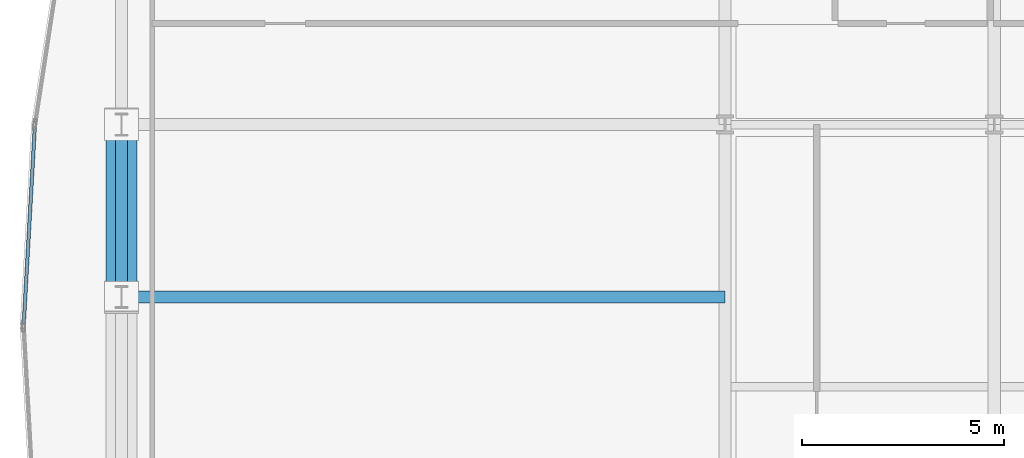
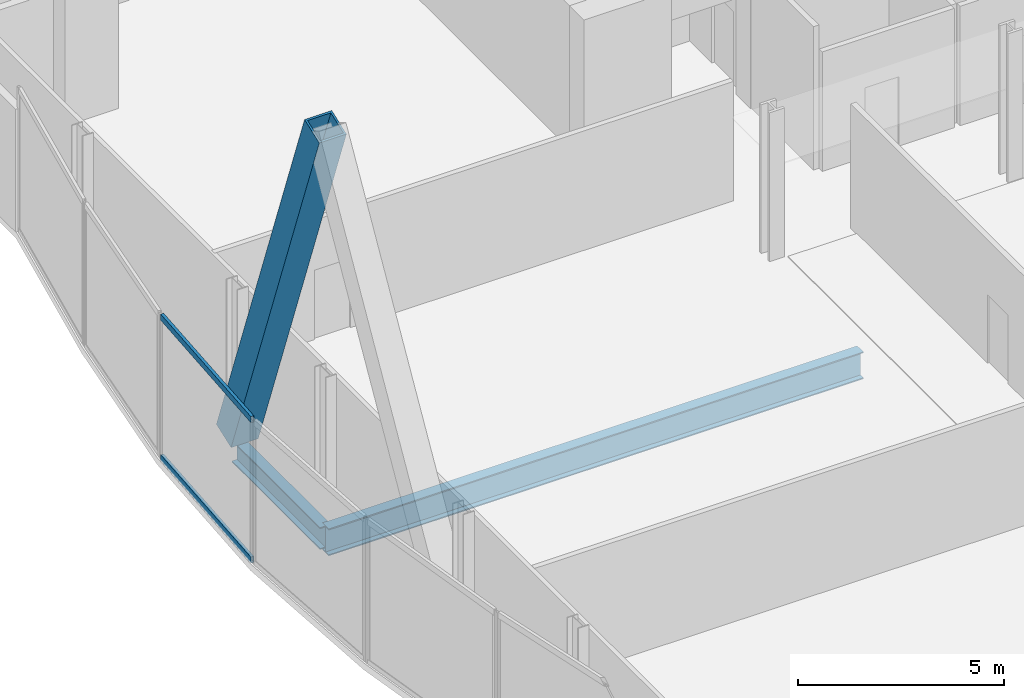
# One storey, part 11 of 32: 3 members, 2 beams, 1 element without a shape of its own.
"""IFC4 building model written with IfcOpenShell, lengths in metres."""

from ifc_helpers import new_model, si_unit, direction, frame, origin, origin_2d, place, context, subcontext, project, spatial, hollow_rectangle, i_section, extrude, material, material_profile, profile_set, type_object, element, aggregate, save


model = new_model("IFC4")

# Units and contexts
model_context = context("Model", 3, precision=1e-05, world=origin(), true_north=direction((0.0, 1.0)))
body_context = subcontext(model_context, "Body", "Model", "MODEL_VIEW")
ifc_project = project(units=[si_unit("LENGTHUNIT", "METRE"), si_unit("AREAUNIT", "SQUARE_METRE"), si_unit("VOLUMEUNIT", "CUBIC_METRE"), si_unit("PLANEANGLEUNIT", "RADIAN"), si_unit("MASSUNIT", "GRAM", prefix="KILO")], contexts=[model_context])

# Site, building, storey
site_placement = place(None, origin())
site = spatial("IfcSite", under=ifc_project, at=site_placement, CompositionType="ELEMENT")
building_placement = place(site_placement, origin())
building = spatial("IfcBuilding", under=site, at=building_placement, Name="Khoronbel Lancet Exchange", CompositionType="ELEMENT")
storey_placement = place(building_placement, frame((0.0, 0.0, 106.60009765625)))
storey = spatial("IfcBuildingStorey", under=building, at=storey_placement, Name="L25", CompositionType="ELEMENT", Elevation=106.60009765625)

# Beams
ifc_material_1 = material(Name="Steel S355", Category="steel")
ifc_material_profile_1 = material_profile(ifc_material_1, i_section(OverallWidth=0.300048828125, OverallDepth=0.800048828125, WebThickness=0.017578125, FlangeThickness=0.032958984375, at=origin_2d()), Name="HEB 800")
ifc_profile_set_1 = profile_set([ifc_material_profile_1], Name="Steel S355")
beam_type_1 = type_object("IfcBeamType", Name="BM-BG2", PredefinedType="BEAM", material=ifc_profile_set_1)
beam_1_placement = place(storey_placement, frame((3.27001953125, 31.425048828125, -0.60009765625), z_axis=(1.0, 0.0, 0.0), x_axis=(0.0, 1.0, 0.0)))
element("IfcBeam", 1, at=beam_1_placement, inside=storey, type_object=beam_type_1, Name="Level L25 west lens tie girder LG2W", PredefinedType="BEAM", context=body_context, shape_type="SweptSolid", body=[
    extrude(i_section(OverallWidth=0.300048828125, OverallDepth=0.800048828125, WebThickness=0.017578125, FlangeThickness=0.032958984375, at=origin_2d()), origin(), (0.0, 0.0, 1.0), 14.955078125),
])
ifc_material_profile_2 = material_profile(ifc_material_1, i_section(OverallWidth=0.300048828125, OverallDepth=0.64990234375, WebThickness=0.01611328125, FlangeThickness=0.031005859375, at=origin_2d()), Name="HEB 650")
ifc_profile_set_2 = profile_set([ifc_material_profile_2], Name="Steel S355")
beam_type_2 = type_object("IfcBeamType", Name="BM-BSP1", PredefinedType="SPANDREL", material=ifc_profile_set_2)
beam_2_placement = place(storey_placement, frame((3.27001953125, 35.699951171875, -0.525146484375), z_axis=(0.0, -1.0, 0.0), x_axis=(1.0, 0.0, 0.0)))
element("IfcBeam", 2, at=beam_2_placement, inside=storey, type_object=beam_type_2, Name="Level L25 perimeter spandrel beam SP18", PredefinedType="SPANDREL", context=body_context, shape_type="SweptSolid", body=[
    extrude(i_section(OverallWidth=0.300048828125, OverallDepth=0.64990234375, WebThickness=0.01611328125, FlangeThickness=0.031005859375, at=origin_2d()), origin(), (0.0, 0.0, 1.0), 4.27490234375),
])

# Curtain wall, members
ifc_material_2 = material(Name="Low-E Solar Control Insulating Glass", Category="glass")
curtain_wall_type = type_object("IfcCurtainWallType", Name="CW-4", PredefinedType="NOTDEFINED", material=ifc_material_2)
curtain_wall_placement = place(storey_placement, origin())
curtain_wall = element("IfcCurtainWall", 3, at=curtain_wall_placement, inside=storey, type_object=curtain_wall_type, Name="Unitised curtain wall CW-L25-E07", PredefinedType="NOTDEFINED")
ifc_material_3 = material(Name="Bronze-Anodised Aluminium 6063-T6", Category="aluminium")
ifc_material_profile_3 = material_profile(ifc_material_3, hollow_rectangle(XDim=0.0849609375, YDim=0.179931640625, WallThickness=0.0048828125, at=origin_2d()), Name="ALU TRANSOM 85x180")
ifc_profile_set_3 = profile_set([ifc_material_profile_3], Name="Bronze-Anodised Aluminium 6063-T6")
member_type_1 = type_object("IfcMemberType", Name="MEM-CWT1", PredefinedType="USERDEFINED", material=ifc_profile_set_3)
member_1_placement = place(storey_placement, frame((0.84814453125, 30.77490234375, 0.04248046875), z_axis=(0.056044516116, 0.998428270941, 0.0), x_axis=(-0.998428270941, 0.056044516116, 0.0)))
member_1 = element("IfcMember", 4, at=member_1_placement, type_object=member_type_1, Name="CW4 transom 1.1", ObjectType="TRANSOM", PredefinedType="USERDEFINED", context=body_context, shape_type="SweptSolid", body=[
    extrude(hollow_rectangle(XDim=0.0849609375, YDim=0.179931640625, WallThickness=0.0048828125, at=origin_2d()), origin(), (0.0, 0.0, 1.0), 4.848388671875),
])
member_2_placement = place(storey_placement, frame((0.84814453125, 30.77490234375, 4.197509765625), z_axis=(0.056044516116, 0.998428270941, 0.0), x_axis=(-0.998428270941, 0.056044516116, 0.0)))
member_2 = element("IfcMember", 5, at=member_2_placement, type_object=member_type_1, Name="CW4 transom 1.2", ObjectType="TRANSOM", PredefinedType="USERDEFINED", context=body_context, shape_type="SweptSolid", body=[
    extrude(hollow_rectangle(XDim=0.0849609375, YDim=0.179931640625, WallThickness=0.0048828125, at=origin_2d()), origin(), (0.0, 0.0, 1.0), 4.848388671875),
])
aggregate(curtain_wall, [member_1, member_2])

# Member
ifc_material_4 = material(Name="Steel S460", Category="steel")
ifc_material_profile_4 = material_profile(ifc_material_4, hollow_rectangle(XDim=0.760009765625, YDim=0.760009765625, WallThickness=0.054931640625, at=origin_2d()), Name="BOX 760x760x55")
ifc_profile_set_4 = profile_set([ifc_material_profile_4], Name="Steel S460")
member_type_2 = type_object("IfcMemberType", Name="MEM-MB1", PredefinedType="BRACE", material=ifc_profile_set_4)
member_3_placement = place(storey_placement, frame((3.27001953125, 35.699951171875, 0.0), z_axis=(0.0, -0.345795959408, 0.938309732688), x_axis=(1.0, 0.0, 0.0)))
element("IfcMember", 6, at=member_3_placement, inside=storey, type_object=member_type_2, Name="Perimeter lancet brace tier 8 W-P-R", PredefinedType="BRACE", context=body_context, shape_type="SweptSolid", body=[
    extrude(hollow_rectangle(XDim=0.760009765625, YDim=0.760009765625, WallThickness=0.054931640625, at=origin_2d()), origin(), (0.0, 0.0, 1.0), 12.362548828125),
])

save(model, "model.ifc")
